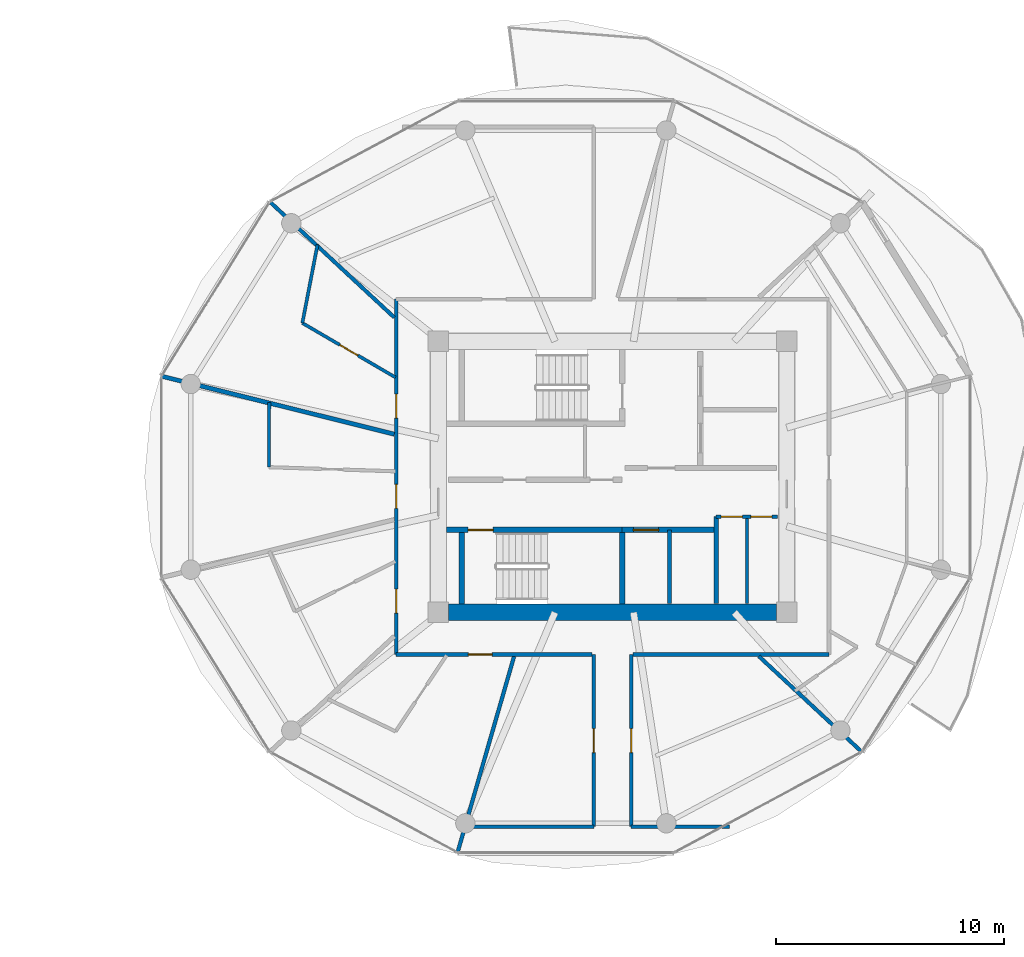
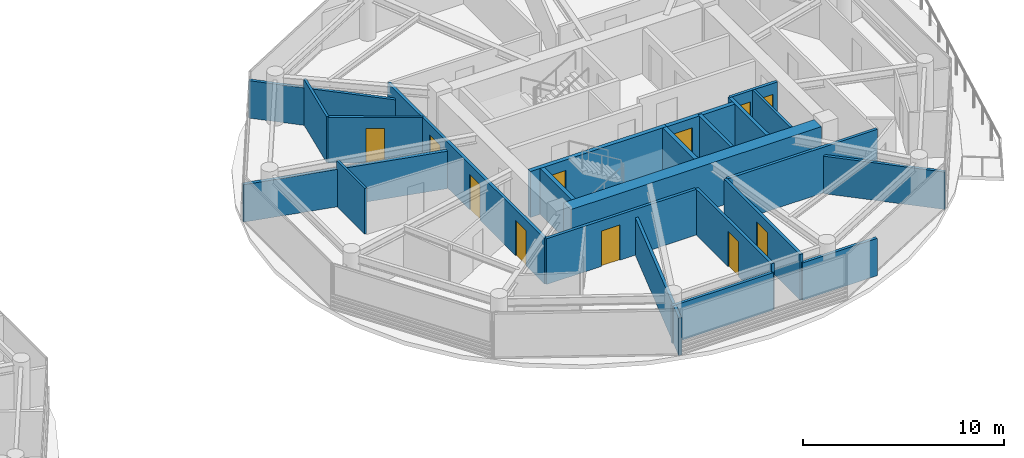
# One storey, part 16 of 24: 23 walls, 11 doors, 11 openings.
"""IFC4 building model written with IfcOpenShell, lengths in metres."""

import ifcopenshell
import ifcopenshell.guid

model = None  # the IFC model being written
_history = None  # IfcOwnerHistory: only IFC2X3 demands one
_inside = {}  # id of a spatial element -> (the spatial element, [elements in it])
_under = {}  # id of a project, library or spatial element -> (it, [spatial elements below it])
_declared = {}  # id of a project -> (the project, [libraries it declares])
_typed = {}  # id of a type object -> (the type object, [elements of that type])
_made_of = {}  # id of a material, layer set ... -> (it, [elements and type objects made of it])


def new_model(schema):
    """Start an empty IFC model of exactly this schema.

    Asked for "IFC4X3", IfcOpenShell would pick the latest addendum, in which some entities
    have other attributes; the version numbers below select the first issue.
    IFC2X3 requires an IfcOwnerHistory on every rooted entity: one is made here for all.
    """
    global model, _history
    if schema == "IFC4X3":
        model = ifcopenshell.file(schema_version=(4, 3, 0, 0))
    else:
        model = ifcopenshell.file(schema=schema)
    _inside.clear()
    _under.clear()
    _declared.clear()
    _typed.clear()
    _made_of.clear()
    _history = None
    if model.schema == "IFC2X3":
        org = make("IfcOrganization", Name="unknown")
        user = make(
            "IfcPersonAndOrganization",
            ThePerson=make("IfcPerson", FamilyName="unknown"),
            TheOrganization=org,
        )
        app = make(
            "IfcApplication",
            ApplicationDeveloper=org,
            Version="unknown",
            ApplicationFullName="unknown",
            ApplicationIdentifier="unknown",
        )
        _history = make(
            "IfcOwnerHistory",
            OwningUser=user,
            OwningApplication=app,
            ChangeAction="ADDED",
            CreationDate=0,
        )
    return model


def make(cls, **values):
    """One entity of the class cls with the attributes given. An attribute that is None is left unset."""
    return model.create_entity(
        cls, **{name: value for name, value in values.items() if value is not None}
    )


def rooted(cls, **values):
    """An entity with a GlobalId (a new one), such as an element, a storey or a relation."""
    return make(cls, GlobalId=ifcopenshell.guid.new(), OwnerHistory=_history, **values)


def si_unit(unit_type, name, prefix=None):
    """IfcSIUnit, for example si_unit("LENGTHUNIT", "METRE", prefix="MILLI")."""
    return make("IfcSIUnit", UnitType=unit_type, Prefix=prefix, Name=name)


def assignment(units):
    """IfcUnitAssignment: the units of a project."""
    return None if units is None else make("IfcUnitAssignment", Units=units)


def point(xyz):
    """IfcCartesianPoint."""
    return None if xyz is None else make("IfcCartesianPoint", Coordinates=xyz)


def direction(xyz):
    """IfcDirection."""
    return None if xyz is None else make("IfcDirection", DirectionRatios=xyz)


def frame(location, z_axis=None, x_axis=None):
    """IfcAxis2Placement3D, a coordinate frame: its origin and axes. An axis left out is left unset."""
    return make(
        "IfcAxis2Placement3D",
        Location=point(location),
        Axis=direction(z_axis),
        RefDirection=direction(x_axis),
    )


def frame_2d(location, x_axis=None):
    """IfcAxis2Placement2D, a coordinate frame in the plane: its origin and x axis."""
    return make(
        "IfcAxis2Placement2D", Location=point(location), RefDirection=direction(x_axis)
    )


def origin():
    """The frame at (0, 0, 0) with its axes left unset."""
    return frame((0.0, 0.0, 0.0))


def place(relative_to, where):
    """IfcLocalPlacement: puts the frame where relative to a parent placement (None: the world)."""
    return make(
        "IfcLocalPlacement", PlacementRelTo=relative_to, RelativePlacement=where
    )


def context(
    kind, dimensions, precision=None, world=None, true_north=None, identifier=None
):
    """IfcGeometricRepresentationContext, for example the 3D "Model" context."""
    return make(
        "IfcGeometricRepresentationContext",
        ContextIdentifier=identifier,
        ContextType=kind,
        CoordinateSpaceDimension=dimensions,
        Precision=precision,
        WorldCoordinateSystem=world,
        TrueNorth=true_north,
    )


def subcontext(parent, identifier, kind, view, scale=None):
    """IfcGeometricRepresentationSubContext, for example "Body" below "Model"."""
    return make(
        "IfcGeometricRepresentationSubContext",
        ContextIdentifier=identifier,
        ContextType=kind,
        ParentContext=parent,
        TargetScale=scale,
        TargetView=view,
    )


def project(units=None, contexts=None):
    """IfcProject with its units and contexts."""
    return rooted(
        "IfcProject",
        Name="project",
        RepresentationContexts=contexts,
        UnitsInContext=assignment(units),
    )


def spatial(cls, under=None, at=None, **own):
    """A site, building, storey or space (cls), placed at a placement, below another one or the project."""
    s = rooted(cls, ObjectPlacement=at, **own)
    if under is not None:
        _under.setdefault(under.id(), (under, []))[1].append(s)
    return s


def profile(cls, at=None, kind="AREA", **sizes):
    """A parametric profile (cls). Its sizes go by their IFC names, for example OverallWidth=200.0."""
    return make(cls, ProfileType=kind, Position=at, **sizes)


def rectangle(**sizes):
    """IfcRectangleProfileDef."""
    return profile("IfcRectangleProfileDef", **sizes)


def extrude(swept, where, along, depth):
    """IfcExtrudedAreaSolid: the profile swept, set in the frame where, extruded along a direction by depth."""
    return make(
        "IfcExtrudedAreaSolid",
        SweptArea=swept,
        Position=where,
        ExtrudedDirection=direction(along),
        Depth=depth,
    )


def shape(context_of_items, identifier, shape_type, items):
    """IfcShapeRepresentation: the items that make up one representation, for example the "Body"."""
    return make(
        "IfcShapeRepresentation",
        ContextOfItems=context_of_items,
        RepresentationIdentifier=identifier,
        RepresentationType=shape_type,
        Items=items,
    )


def source(mapping_origin, context_of_items, identifier, shape_type, items):
    """IfcRepresentationMap: a shape defined once, which mapped items show again and again."""
    return make(
        "IfcRepresentationMap",
        MappingOrigin=mapping_origin,
        MappedRepresentation=shape(context_of_items, identifier, shape_type, items),
    )


def transform(
    local_origin,
    x_axis=None,
    y_axis=None,
    z_axis=None,
    scale=None,
    scale2=None,
    scale3=None,
    uniform=True,
):
    """IfcCartesianTransformationOperator3D, or its non-uniform kind. x_axis, y_axis, z_axis: its Axis1, 2, 3."""
    if uniform:
        return make(
            "IfcCartesianTransformationOperator3D",
            Axis1=direction(x_axis),
            Axis2=direction(y_axis),
            LocalOrigin=point(local_origin),
            Scale=scale,
            Axis3=direction(z_axis),
        )
    return make(
        "IfcCartesianTransformationOperator3DnonUniform",
        Axis1=direction(x_axis),
        Axis2=direction(y_axis),
        LocalOrigin=point(local_origin),
        Scale=scale,
        Axis3=direction(z_axis),
        Scale2=scale2,
        Scale3=scale3,
    )


def mapped(mapping_source, mapping_target):
    """IfcMappedItem: shows the shape of a source again, moved by a transform."""
    return make(
        "IfcMappedItem", MappingSource=mapping_source, MappingTarget=mapping_target
    )


def material(Name=None, Category=None):
    """IfcMaterial."""
    return make("IfcMaterial", Name=Name, Category=Category)


def layer(
    of_material, thickness, ventilated=None, Name=None, Category=None, Priority=None
):
    """IfcMaterialLayer: one layer of a wall or slab, of a material (None: an air gap)."""
    return make(
        "IfcMaterialLayer",
        Material=of_material,
        LayerThickness=thickness,
        IsVentilated=ventilated,
        Name=Name,
        Category=Category,
        Priority=Priority,
    )


def layer_set(layers, Name=None):
    """IfcMaterialLayerSet."""
    return make("IfcMaterialLayerSet", MaterialLayers=layers, LayerSetName=Name)


def made_of(thing, what):
    """Note that an element or type object is made of a material, layer set ...; save() writes the relation."""
    if what is not None:
        _made_of.setdefault(what.id(), (what, []))[1].append(thing)
    return thing


def type_object(cls, material=None, **own):
    """A type object (cls), such as IfcWallType, which elements share."""
    return made_of(rooted(cls, **own), material)


def type_shapes(of_type, sources):
    """Give a type object the sources (RepresentationMaps) that its elements show as mapped items."""
    of_type.RepresentationMaps = sources


def element(
    cls,
    number,
    at=None,
    inside=None,
    cuts=None,
    type_object=None,
    material=None,
    context=None,
    identifier="Body",
    shape_type=None,
    held_by="IfcProductDefinitionShape",
    body=None,
    shapes=None,
    **own,
):
    """One element of the class cls, such as IfcWall. Its Tag is "e" and its number.

    at: its placement. inside: the storey or other place that contains it. cuts: it is an
    opening in that element (IfcRelVoidsElement). A single representation is given by context,
    identifier, shape_type and body (its items); several are given by shapes. held_by: the class
    of the entity that holds the representations. save() writes the other relations.
    """
    e = rooted(cls, Tag="e%d" % number, ObjectPlacement=at, **own)
    if body is not None:
        shapes = [shape(context, identifier, shape_type, body)]
    if shapes is not None:
        e.Representation = make(held_by, Representations=shapes)
    if inside is not None:
        _inside.setdefault(inside.id(), (inside, []))[1].append(e)
    if cuts is not None:
        rooted(
            "IfcRelVoidsElement", RelatingBuildingElement=cuts, RelatedOpeningElement=e
        )
    if type_object is not None:
        _typed.setdefault(type_object.id(), (type_object, []))[1].append(e)
    return made_of(e, material)


def fill(opening, filler):
    """IfcRelFillsElement: the door or window that sits in an opening."""
    return rooted(
        "IfcRelFillsElement",
        RelatingOpeningElement=opening,
        RelatedBuildingElement=filler,
    )


def aggregate(whole, parts):
    """IfcRelAggregates: a whole, such as a stair, and the parts it consists of."""
    return rooted("IfcRelAggregates", RelatingObject=whole, RelatedObjects=parts)


def save(model, path):
    """Write the relations noted so far, then the file.

    IfcRelAggregates (storeys below a building ...), IfcRelContainedInSpatialStructure (elements
    in a storey), IfcRelDefinesByType, IfcRelAssociatesMaterial and IfcRelDeclares: one each for
    every whole, place, type object, material and project.
    """
    for whole, parts in _under.values():
        aggregate(whole, parts)
    for where, things in _inside.values():
        rooted(
            "IfcRelContainedInSpatialStructure",
            RelatedElements=things,
            RelatingStructure=where,
        )
    for kind, things in _typed.values():
        rooted("IfcRelDefinesByType", RelatedObjects=things, RelatingType=kind)
    for what, things in _made_of.values():
        rooted("IfcRelAssociatesMaterial", RelatedObjects=things, RelatingMaterial=what)
    for by, libraries in _declared.values():
        rooted("IfcRelDeclares", RelatingContext=by, RelatedDefinitions=libraries)
    model.write(path)


model = new_model("IFC4")

# Units and contexts
model_context = context("Model", 3, precision=1e-05, world=origin(), true_north=direction((0.0, 1.0)))
body_context = subcontext(model_context, "Body", "Model", "MODEL_VIEW")
ifc_project = project(units=[si_unit("LENGTHUNIT", "METRE"), si_unit("AREAUNIT", "SQUARE_METRE"), si_unit("VOLUMEUNIT", "CUBIC_METRE"), si_unit("PLANEANGLEUNIT", "RADIAN"), si_unit("MASSUNIT", "GRAM", prefix="KILO")], contexts=[model_context])

# Site, building, storey
site_placement = place(None, origin())
site = spatial("IfcSite", under=ifc_project, at=site_placement, CompositionType="ELEMENT")
building_placement = place(site_placement, origin())
building = spatial("IfcBuilding", under=site, at=building_placement, Name="Norrkilde Senior Care Towers", CompositionType="ELEMENT")
storey_placement = place(building_placement, frame((0.0, 0.0, 105.39990234375)))
storey = spatial("IfcBuildingStorey", under=building, at=storey_placement, Name="L32", CompositionType="ELEMENT", Elevation=105.39990234375)

# Walls
ifc_material_1 = material(Name="Concrete C60/75", Category="concrete")
ifc_layer_1 = layer(ifc_material_1, 0.719970703125)
ifc_layer_set_1 = layer_set([ifc_layer_1], Name="Concrete C60/75")
wall_type_1 = type_object("IfcWallType", Name="Core Shear Wall Z2 720", PredefinedType="SHEAR", material=ifc_layer_set_1)
shared_shape_1 = source(origin(), body_context, "Body", "SweptSolid", [
    extrude(rectangle(XDim=14.39990234375, YDim=0.719970703125, at=frame_2d((7.199951171875, 0.0))), origin(), (0.0, 0.0, 1.0), 2.7900390625),
])
type_shapes(wall_type_1, [shared_shape_1])
wall_1_placement = place(storey_placement, frame((35.199951171875, -5.949951171875, 0.0), z_axis=(0.0, 0.0, 1.0), x_axis=(-1.0, 0.0, 0.0)))
element("IfcWall", 1, at=wall_1_placement, inside=storey, type_object=wall_type_1, Name="L32 Core E South Shear Wall", PredefinedType="SHEAR", context=body_context, shape_type="MappedRepresentation", body=[
    mapped(shared_shape_1, transform((0.0, 0.0, 0.0), x_axis=(1.0, 0.0, 0.0), y_axis=(0.0, 1.0, 0.0), z_axis=(0.0, 0.0, 1.0), scale=1.0)),
])
ifc_material_2 = material(Name="Concrete C45/55", Category="concrete")
ifc_layer_2 = layer(ifc_material_2, 0.199951171875)
ifc_layer_set_2 = layer_set([ifc_layer_2], Name="Concrete C45/55")
wall_type_2 = type_object("IfcWallType", Name="Shaft Division and Plant Partition 200", PredefinedType="PARTITIONING", material=ifc_layer_set_2)
shared_shape_2 = source(origin(), body_context, "Body", "SweptSolid", [
    extrude(rectangle(XDim=3.800048828125, YDim=0.199951171875, at=frame_2d((1.89990234375, 0.0))), origin(), (0.0, 0.0, 1.0), 2.775146484375),
])
type_shapes(wall_type_2, [shared_shape_2])
wall_2_placement = place(storey_placement, frame((32.550048828125, -5.550048828125, 0.0), z_axis=(0.0, 0.0, 1.0), x_axis=(0.0, 1.0, 0.0)))
element("IfcWall", 2, at=wall_2_placement, inside=storey, type_object=wall_type_2, Name="WL-INT-L32-E-PKBE", PredefinedType="PARTITIONING", context=body_context, shape_type="MappedRepresentation", body=[
    mapped(shared_shape_2, transform((0.0, 0.0, 0.0), x_axis=(1.0, 0.0, 0.0), y_axis=(0.0, 1.0, 0.0), z_axis=(0.0, 0.0, 1.0), scale=1.0)),
])

# Wall, opening, door
ifc_layer_3 = layer(ifc_material_2, 0.239990234375)
ifc_layer_set_3 = layer_set([ifc_layer_3], Name="Concrete C45/55")
wall_type_3 = type_object("IfcWallType", Name="Lift and Plant Rated Enclosure Partition 240", PredefinedType="PARTITIONING", material=ifc_layer_set_3)
shared_shape_3 = source(origin(), body_context, "Body", "SweptSolid", [
    extrude(rectangle(XDim=4.130126953125, YDim=0.239990234375, at=frame_2d((2.06494140625, 0.0))), origin(), (0.0, 0.0, 1.0), 2.775146484375),
])
type_shapes(wall_type_3, [shared_shape_3])
wall_3_placement = place(storey_placement, frame((28.419921875, -2.330078125, 0.0), z_axis=(0.0, 0.0, 1.0), x_axis=(1.0, 0.0, 0.0)))
wall_3 = element("IfcWall", 3, at=wall_3_placement, inside=storey, type_object=wall_type_3, Name="WL-INT-L32-E-PKBN", PredefinedType="PARTITIONING", context=body_context, shape_type="MappedRepresentation", body=[
    mapped(shared_shape_3, transform((0.0, 0.0, 0.0), x_axis=(1.0, 0.0, 0.0), y_axis=(0.0, 1.0, 0.0), z_axis=(0.0, 0.0, 1.0), scale=1.0)),
])
opening_1_placement = place(wall_3_placement, frame((0.5, 0.0, 0.0)))
opening_1 = element("IfcOpeningElement", 4, at=opening_1_placement, cuts=wall_3, Name="Opening LD-01", PredefinedType="OPENING", context=body_context, shape_type="SweptSolid", body=[
    extrude(rectangle(XDim=1.10009765625, YDim=2.199951171875, at=frame_2d((0.550048828125, 1.10009765625))), frame((0.0, 0.1298828125, 0.0), z_axis=(0.0, -1.0, 0.0), x_axis=(1.0, 0.0, 0.0)), (0.0, 0.0, 1.0), 0.260009765625),
])
ifc_material_3 = material(Name="Stainless Steel", Category="steel")
door_type_1 = type_object("IfcDoorType", Name="Lift Landing Sliding Door 1100x2200", OperationType="NOTDEFINED", PredefinedType="DOOR", material=ifc_material_3)
shared_shape_4 = source(origin(), body_context, "Body", "SweptSolid", [
    extrude(rectangle(XDim=1.10009765625, YDim=2.199951171875, at=frame_2d((0.550048828125, 1.10009765625))), frame((0.0, 0.02490234375, 0.0), z_axis=(0.0, -1.0, 0.0), x_axis=(1.0, 0.0, 0.0)), (0.0, 0.0, 1.0), 0.050048828125),
])
type_shapes(door_type_1, [shared_shape_4])
door_1_placement = place(opening_1_placement, frame((1.10009765625, 0.0, 0.0), z_axis=(0.0, 0.0, 1.0), x_axis=(-1.0, 0.0, 0.0)))
door_1 = element("IfcDoor", 5, at=door_1_placement, inside=storey, type_object=door_type_1, Name="L32 Passenger Lift E3 Landing Door", OperationType="SLIDING_TO_LEFT", OverallHeight=2.199951171875, OverallWidth=1.10009765625, PredefinedType="DOOR", context=body_context, shape_type="MappedRepresentation", body=[
    mapped(shared_shape_4, transform((0.0, 0.0, 0.0), x_axis=(1.0, 0.0, 0.0), y_axis=(0.0, 1.0, 0.0), z_axis=(0.0, 0.0, 1.0), scale=1.0)),
])
fill(opening_1, door_1)

# Wall
ifc_layer_4 = layer(ifc_material_2, 0.179931640625)
ifc_layer_set_4 = layer_set([ifc_layer_4], Name="Concrete C45/55")
wall_type_4 = type_object("IfcWallType", Name="Hoistway Division Rated Partition 180", PredefinedType="PARTITIONING", material=ifc_layer_set_4)
shared_shape_5 = source(origin(), body_context, "Body", "SweptSolid", [
    extrude(rectangle(XDim=3.219970703125, YDim=0.179931640625, at=frame_2d((1.60986328125, 0.0))), origin(), (0.0, 0.0, 1.0), 2.775146484375),
])
type_shapes(wall_type_4, [shared_shape_5])
wall_4_placement = place(storey_placement, frame((30.5, -5.550048828125, 0.0), z_axis=(0.0, 0.0, 1.0), x_axis=(0.0, 1.0, 0.0)))
element("IfcWall", 6, at=wall_4_placement, inside=storey, type_object=wall_type_4, Name="WL-INT-L32-E-PL34", PredefinedType="PARTITIONING", context=body_context, shape_type="MappedRepresentation", body=[
    mapped(shared_shape_5, transform((0.0, 0.0, 0.0), x_axis=(1.0, 0.0, 0.0), y_axis=(0.0, 1.0, 0.0), z_axis=(0.0, 0.0, 1.0), scale=1.0)),
])

# Wall, openings, doors
ifc_material_4 = material(Name="Gypsum Acoustic Board")
ifc_layer_5 = layer(ifc_material_4, 0.1650390625)
ifc_layer_set_5 = layer_set([ifc_layer_5], Name="Gypsum Acoustic Board")
wall_type_5 = type_object("IfcWallType", Name="Corridor Rated Partition 165", PredefinedType="PARTITIONING", material=ifc_layer_set_5)
shared_shape_6 = source(origin(), body_context, "Body", "SweptSolid", [
    extrude(rectangle(XDim=2.699951171875, YDim=0.1650390625, at=frame_2d((1.35009765625, 0.0))), origin(), (0.0, 0.0, 1.0), 2.775146484375),
])
wall_5_placement = place(storey_placement, frame((32.550048828125, -1.75, 0.0), z_axis=(0.0, 0.0, 1.0), x_axis=(1.0, 0.0, 0.0)))
wall_5 = element("IfcWall", 7, at=wall_5_placement, inside=storey, type_object=wall_type_5, Name="WL-INT-L32-E-CSN", PredefinedType="PARTITIONING", context=body_context, shape_type="MappedRepresentation", body=[
    mapped(shared_shape_6, transform((0.0, 0.0, 0.0), x_axis=(1.0, 0.0, 0.0), y_axis=(0.0, 1.0, 0.0), z_axis=(0.0, 0.0, 1.0), scale=1.0)),
])
opening_2_placement = place(wall_5_placement, frame((0.222412109375, 0.0, 0.0)))
opening_2 = element("IfcOpeningElement", 8, at=opening_2_placement, cuts=wall_5, Name="Opening D-12", PredefinedType="OPENING", context=body_context, shape_type="SweptSolid", body=[
    extrude(rectangle(XDim=0.925048828125, YDim=2.10009765625, at=frame_2d((0.46240234375, 1.050048828125))), frame((0.0, 0.092529296875, 0.0), z_axis=(0.0, -1.0, 0.0), x_axis=(1.0, 0.0, 0.0)), (0.0, 0.0, 1.0), 0.18505859375),
])
opening_3_placement = place(wall_5_placement, frame((1.5224609375, 0.0, 0.0)))
opening_3 = element("IfcOpeningElement", 9, at=opening_3_placement, cuts=wall_5, Name="Opening D-12", PredefinedType="OPENING", context=body_context, shape_type="SweptSolid", body=[
    extrude(rectangle(XDim=0.925048828125, YDim=2.10009765625, at=frame_2d((0.46240234375, 1.050048828125))), frame((0.0, 0.092529296875, 0.0), z_axis=(0.0, -1.0, 0.0), x_axis=(1.0, 0.0, 0.0)), (0.0, 0.0, 1.0), 0.18505859375),
])
ifc_material_5 = material(Name="Galvanised Painted Steel", Category="steel")
door_type_2 = type_object("IfcDoorType", Name="Core Wet Room Rated Door 925x2100", OperationType="NOTDEFINED", PredefinedType="DOOR", material=ifc_material_5)
shared_shape_7 = source(origin(), body_context, "Body", "SweptSolid", [
    extrude(rectangle(XDim=0.925048828125, YDim=2.10009765625, at=frame_2d((0.46240234375, 1.050048828125))), frame((0.0, 0.02490234375, 0.0), z_axis=(0.0, -1.0, 0.0), x_axis=(1.0, 0.0, 0.0)), (0.0, 0.0, 1.0), 0.050048828125),
])
type_shapes(door_type_2, [shared_shape_7])
door_2_placement = place(opening_2_placement, origin())
door_2 = element("IfcDoor", 10, at=door_2_placement, inside=storey, type_object=door_type_2, Name="L32 Staff Accessible WC E Door", OperationType="SINGLE_SWING_LEFT", OverallHeight=2.10009765625, OverallWidth=0.925048828125, PredefinedType="DOOR", context=body_context, shape_type="MappedRepresentation", body=[
    mapped(shared_shape_7, transform((0.0, 0.0, 0.0), x_axis=(1.0, 0.0, 0.0), y_axis=(0.0, 1.0, 0.0), z_axis=(0.0, 0.0, 1.0), scale=1.0)),
])
fill(opening_2, door_2)
door_3_placement = place(opening_3_placement, origin())
door_3 = element("IfcDoor", 11, at=door_3_placement, inside=storey, type_object=door_type_2, Name="L32 Housekeeping Store E Door", OperationType="SINGLE_SWING_RIGHT", OverallHeight=2.10009765625, OverallWidth=0.925048828125, PredefinedType="DOOR", context=body_context, shape_type="MappedRepresentation", body=[
    mapped(shared_shape_7, transform((0.0, 0.0, 0.0), x_axis=(1.0, 0.0, 0.0), y_axis=(0.0, 1.0, 0.0), z_axis=(0.0, 0.0, 1.0), scale=1.0)),
])
fill(opening_3, door_3)

shared_shape_8 = source(origin(), body_context, "Body", "SweptSolid", [
    extrude(rectangle(XDim=15.60009765625, YDim=0.1650390625, at=frame_2d((7.800048828125, 0.0))), origin(), (0.0, 0.0, 1.0), 2.775146484375),
])
wall_6_placement = place(storey_placement, frame((18.5, -7.800048828125, 0.0), z_axis=(0.0, 0.0, 1.0), x_axis=(0.0, 1.0, 0.0)))
wall_6 = element("IfcWall", 12, at=wall_6_placement, inside=storey, type_object=wall_type_5, Name="WL-INT-L32-E-CRW-W-0", PredefinedType="PARTITIONING", context=body_context, shape_type="MappedRepresentation", body=[
    mapped(shared_shape_8, transform((0.0, 0.0, 0.0), x_axis=(1.0, 0.0, 0.0), y_axis=(0.0, 1.0, 0.0), z_axis=(0.0, 0.0, 1.0), scale=1.0)),
])
opening_4_placement = place(wall_6_placement, frame((10.3828125, 0.0, 0.0)))
opening_4 = element("IfcOpeningElement", 13, at=opening_4_placement, cuts=wall_6, Name="Opening D-06", PredefinedType="OPENING", context=body_context, shape_type="SweptSolid", body=[
    extrude(rectangle(XDim=1.050048828125, YDim=2.14990234375, at=frame_2d((0.52490234375, 1.074951171875))), frame((0.0, 0.092529296875, 0.0), z_axis=(0.0, -1.0, 0.0), x_axis=(1.0, 0.0, 0.0)), (0.0, 0.0, 1.0), 0.18505859375),
])
opening_5_placement = place(wall_6_placement, frame((6.418701171875, 0.0, 0.0)))
opening_5 = element("IfcOpeningElement", 14, at=opening_5_placement, cuts=wall_6, Name="Opening D-06", PredefinedType="OPENING", context=body_context, shape_type="SweptSolid", body=[
    extrude(rectangle(XDim=1.050048828125, YDim=2.14990234375, at=frame_2d((0.52490234375, 1.074951171875))), frame((0.0, 0.092529296875, 0.0), z_axis=(0.0, -1.0, 0.0), x_axis=(1.0, 0.0, 0.0)), (0.0, 0.0, 1.0), 0.18505859375),
])
opening_6_placement = place(wall_6_placement, frame((1.820556640625, 0.0, 0.0)))
opening_6 = element("IfcOpeningElement", 15, at=opening_6_placement, cuts=wall_6, Name="Opening D-06", PredefinedType="OPENING", context=body_context, shape_type="SweptSolid", body=[
    extrude(rectangle(XDim=1.050048828125, YDim=2.14990234375, at=frame_2d((0.52490234375, 1.074951171875))), frame((0.0, 0.092529296875, 0.0), z_axis=(0.0, -1.0, 0.0), x_axis=(1.0, 0.0, 0.0)), (0.0, 0.0, 1.0), 0.18505859375),
])
ifc_material_6 = material(Name="Nordic Ash Timber", Category="wood")
door_type_3 = type_object("IfcDoorType", Name="Apartment Entrance Fire Door 1050x2150", OperationType="NOTDEFINED", PredefinedType="DOOR", material=ifc_material_6)
shared_shape_9 = source(origin(), body_context, "Body", "SweptSolid", [
    extrude(rectangle(XDim=1.050048828125, YDim=2.14990234375, at=frame_2d((0.52490234375, 1.074951171875))), frame((0.0, 0.02490234375, 0.0), z_axis=(0.0, -1.0, 0.0), x_axis=(1.0, 0.0, 0.0)), (0.0, 0.0, 1.0), 0.050048828125),
])
type_shapes(door_type_3, [shared_shape_9])
door_4_placement = place(opening_4_placement, frame((1.050048828125, 0.0, 0.0), z_axis=(0.0, 0.0, 1.0), x_axis=(-1.0, 0.0, 0.0)))
door_4 = element("IfcDoor", 16, at=door_4_placement, inside=storey, type_object=door_type_3, Name="L32 Studio 32A Entrance Door", OperationType="SINGLE_SWING_LEFT", OverallHeight=2.14990234375, OverallWidth=1.050048828125, PredefinedType="DOOR", context=body_context, shape_type="MappedRepresentation", body=[
    mapped(shared_shape_9, transform((0.0, 0.0, 0.0), x_axis=(1.0, 0.0, 0.0), y_axis=(0.0, 1.0, 0.0), z_axis=(0.0, 0.0, 1.0), scale=1.0)),
])
fill(opening_4, door_4)
door_5_placement = place(opening_5_placement, frame((1.050048828125, 0.0, 0.0), z_axis=(0.0, 0.0, 1.0), x_axis=(-1.0, 0.0, 0.0)))
door_5 = element("IfcDoor", 17, at=door_5_placement, inside=storey, type_object=door_type_3, Name="L32 Studio 32B Entrance Door", OperationType="SINGLE_SWING_RIGHT", OverallHeight=2.14990234375, OverallWidth=1.050048828125, PredefinedType="DOOR", context=body_context, shape_type="MappedRepresentation", body=[
    mapped(shared_shape_9, transform((0.0, 0.0, 0.0), x_axis=(1.0, 0.0, 0.0), y_axis=(0.0, 1.0, 0.0), z_axis=(0.0, 0.0, 1.0), scale=1.0)),
])
fill(opening_5, door_5)
door_6_placement = place(opening_6_placement, frame((1.050048828125, 0.0, 0.0), z_axis=(0.0, 0.0, 1.0), x_axis=(-1.0, 0.0, 0.0)))
door_6 = element("IfcDoor", 18, at=door_6_placement, inside=storey, type_object=door_type_3, Name="L32 Studio 32C Entrance Door", OperationType="SINGLE_SWING_LEFT", OverallHeight=2.14990234375, OverallWidth=1.050048828125, PredefinedType="DOOR", context=body_context, shape_type="MappedRepresentation", body=[
    mapped(shared_shape_9, transform((0.0, 0.0, 0.0), x_axis=(1.0, 0.0, 0.0), y_axis=(0.0, 1.0, 0.0), z_axis=(0.0, 0.0, 1.0), scale=1.0)),
])
fill(opening_6, door_6)

# Wall, opening, door
ifc_layer_6 = layer(ifc_material_2, 0.239990234375)
ifc_layer_set_6 = layer_set([ifc_layer_6], Name="Concrete C45/55")
wall_type_6 = type_object("IfcWallType", Name="Shaft and Stair Enclosure Wall 240", PredefinedType="PARTITIONING", material=ifc_layer_set_6)
shared_shape_10 = source(origin(), body_context, "Body", "SweptSolid", [
    extrude(rectangle(XDim=7.830078125, YDim=0.239990234375, at=frame_2d((3.9150390625, 0.0))), origin(), (0.0, 0.0, 1.0), 2.7900390625),
])
wall_7_placement = place(storey_placement, frame((20.7099609375, -2.330078125, 0.0), z_axis=(0.0, 0.0, 1.0), x_axis=(1.0, 0.0, 0.0)))
wall_7 = element("IfcWall", 19, at=wall_7_placement, inside=storey, type_object=wall_type_6, Name="WL-INT-L32-E-ST2N", PredefinedType="PARTITIONING", context=body_context, shape_type="MappedRepresentation", body=[
    mapped(shared_shape_10, transform((0.0, 0.0, 0.0), x_axis=(1.0, 0.0, 0.0), y_axis=(0.0, 1.0, 0.0), z_axis=(0.0, 0.0, 1.0), scale=1.0)),
])
opening_7_placement = place(wall_7_placement, frame((0.949951171875, 0.0, 0.0)))
opening_7 = element("IfcOpeningElement", 20, at=opening_7_placement, cuts=wall_7, Name="Opening D-03", PredefinedType="OPENING", context=body_context, shape_type="SweptSolid", body=[
    extrude(rectangle(XDim=1.10009765625, YDim=2.14990234375, at=frame_2d((0.550048828125, 1.074951171875))), frame((0.0, 0.1298828125, 0.0), z_axis=(0.0, -1.0, 0.0), x_axis=(1.0, 0.0, 0.0)), (0.0, 0.0, 1.0), 0.260009765625),
])
door_type_4 = type_object("IfcDoorType", Name="Stairwell Protected Fire Door 1100x2150", OperationType="NOTDEFINED", PredefinedType="DOOR", material=ifc_material_5)
shared_shape_11 = source(origin(), body_context, "Body", "SweptSolid", [
    extrude(rectangle(XDim=1.10009765625, YDim=2.14990234375, at=frame_2d((0.550048828125, 1.074951171875))), frame((0.0, 0.02490234375, 0.0), z_axis=(0.0, -1.0, 0.0), x_axis=(1.0, 0.0, 0.0)), (0.0, 0.0, 1.0), 0.050048828125),
])
type_shapes(door_type_4, [shared_shape_11])
door_7_placement = place(opening_7_placement, frame((1.10009765625, 0.0, 0.0), z_axis=(0.0, 0.0, 1.0), x_axis=(-1.0, 0.0, 0.0)))
door_7 = element("IfcDoor", 21, at=door_7_placement, inside=storey, type_object=door_type_4, Name="L32 Stair E2 Fire Door", OperationType="SINGLE_SWING_RIGHT", OverallHeight=2.14990234375, OverallWidth=1.10009765625, PredefinedType="DOOR", context=body_context, shape_type="MappedRepresentation", body=[
    mapped(shared_shape_11, transform((0.0, 0.0, 0.0), x_axis=(1.0, 0.0, 0.0), y_axis=(0.0, 1.0, 0.0), z_axis=(0.0, 0.0, 1.0), scale=1.0)),
])
fill(opening_7, door_7)

# Walls
shared_shape_12 = source(origin(), body_context, "Body", "SweptSolid", [
    extrude(rectangle(XDim=3.14013671875, YDim=0.239990234375, at=frame_2d((1.570068359375, 0.0))), origin(), (0.0, 0.0, 1.0), 2.7900390625),
])
type_shapes(wall_type_6, [shared_shape_10, shared_shape_12])
for number, where, z_axis, x_axis, name in (
    (22, (21.3798828125, -5.590087890625, 0.0), (0.0, 0.0, 1.0), (0.0, 1.0, 0.0), "WL-INT-L32-E-ST2W"),
    (23, (28.419921875, -5.590087890625, 0.0), (0.0, 0.0, 1.0), (0.0, 1.0, 0.0), "WL-INT-L32-E-ST2E"),
):
    element("IfcWall", number, at=place(storey_placement, frame(where, z_axis=z_axis, x_axis=x_axis)), inside=storey, type_object=wall_type_6, Name=name, PredefinedType="PARTITIONING", context=body_context, shape_type="MappedRepresentation", body=[
        mapped(shared_shape_12, transform((0.0, 0.0, 0.0), x_axis=(1.0, 0.0, 0.0), y_axis=(0.0, 1.0, 0.0), z_axis=(0.0, 0.0, 1.0), scale=1.0)),
    ])
ifc_layer_7 = layer(ifc_material_4, 0.18994140625)
ifc_layer_set_7 = layer_set([ifc_layer_7], Name="Gypsum Acoustic Board")
wall_type_7 = type_object("IfcWallType", Name="Unit Demising Acoustic Wall 190", PredefinedType="PARTITIONING", material=ifc_layer_set_7)
shared_shape_13 = source(origin(), body_context, "Body", "SweptSolid", [
    extrude(rectangle(XDim=10.5556640625, YDim=0.18994140625, at=frame_2d((5.27783203125, 0.0))), origin(), (0.0, 0.0, 1.0), 2.275146484375),
])
type_shapes(wall_type_7, [shared_shape_13])
wall_8_placement = place(storey_placement, frame((18.419921875, 1.875, 0.0), z_axis=(0.0, 0.0, 1.0), x_axis=(-0.970363857851, 0.241648470667, 0.0)))
element("IfcWall", 24, at=wall_8_placement, inside=storey, type_object=wall_type_7, Name="WL-INT-L32-E-DEM-05-0", PredefinedType="PARTITIONING", context=body_context, shape_type="MappedRepresentation", body=[
    mapped(shared_shape_13, transform((0.0, 0.0, 0.0), x_axis=(1.0, 0.0, 0.0), y_axis=(0.0, 1.0, 0.0), z_axis=(0.0, 0.0, 1.0), scale=1.0)),
])
ifc_layer_8 = layer(ifc_material_4, 0.139892578125)
ifc_layer_set_8 = layer_set([ifc_layer_8], Name="Gypsum Acoustic Board")
wall_type_8 = type_object("IfcWallType", Name="En-suite Wet Room Wall 140", PredefinedType="PARTITIONING", material=ifc_layer_set_8)
shared_shape_14 = source(origin(), body_context, "Body", "SweptSolid", [
    extrude(rectangle(XDim=3.800048828125, YDim=0.139892578125, at=frame_2d((1.89990234375, 0.0))), origin(), (0.0, 0.0, 1.0), 2.775146484375),
])
wall_9_placement = place(storey_placement, frame((33.89990234375, -5.550048828125, 0.0), z_axis=(0.0, 0.0, 1.0), x_axis=(0.0, 1.0, 0.0)))
element("IfcWall", 25, at=wall_9_placement, inside=storey, type_object=wall_type_8, Name="WL-INT-L32-E-CS1V", PredefinedType="PARTITIONING", context=body_context, shape_type="MappedRepresentation", body=[
    mapped(shared_shape_14, transform((0.0, 0.0, 0.0), x_axis=(1.0, 0.0, 0.0), y_axis=(0.0, 1.0, 0.0), z_axis=(0.0, 0.0, 1.0), scale=1.0)),
])
shared_shape_15 = source(origin(), body_context, "Body", "SweptSolid", [
    extrude(rectangle(XDim=8.60009765625, YDim=0.1650390625, at=frame_2d((4.300048828125, 0.0))), origin(), (0.0, 0.0, 1.0), 2.775146484375),
])
wall_10_placement = place(storey_placement, frame((37.5, -7.800048828125, 0.0), z_axis=(0.0, 0.0, 1.0), x_axis=(-1.0, 0.0, 0.0)))
element("IfcWall", 26, at=wall_10_placement, inside=storey, type_object=wall_type_5, Name="WL-INT-L32-E-CRW-S-0", PredefinedType="PARTITIONING", context=body_context, shape_type="MappedRepresentation", body=[
    mapped(shared_shape_15, transform((0.0, 0.0, 0.0), x_axis=(1.0, 0.0, 0.0), y_axis=(0.0, 1.0, 0.0), z_axis=(0.0, 0.0, 1.0), scale=1.0)),
])

# Wall, opening, door
wall_11_placement = place(storey_placement, frame((27.10009765625, -7.800048828125, 0.0), z_axis=(0.0, 0.0, 1.0), x_axis=(-1.0, 0.0, 0.0)))
wall_11 = element("IfcWall", 27, at=wall_11_placement, inside=storey, type_object=wall_type_5, Name="WL-INT-L32-E-CRW-S-1", PredefinedType="PARTITIONING", context=body_context, shape_type="MappedRepresentation", body=[
    mapped(shared_shape_15, transform((0.0, 0.0, 0.0), x_axis=(1.0, 0.0, 0.0), y_axis=(0.0, 1.0, 0.0), z_axis=(0.0, 0.0, 1.0), scale=1.0)),
])
opening_8_placement = place(wall_11_placement, frame((4.384033203125, 0.0, 0.0)))
opening_8 = element("IfcOpeningElement", 28, at=opening_8_placement, cuts=wall_11, Name="Opening D-06", PredefinedType="OPENING", context=body_context, shape_type="SweptSolid", body=[
    extrude(rectangle(XDim=1.050048828125, YDim=2.14990234375, at=frame_2d((0.52490234375, 1.074951171875))), frame((0.0, 0.092529296875, 0.0), z_axis=(0.0, -1.0, 0.0), x_axis=(1.0, 0.0, 0.0)), (0.0, 0.0, 1.0), 0.18505859375),
])
door_8_placement = place(opening_8_placement, frame((1.050048828125, 0.0, 0.0), z_axis=(0.0, 0.0, 1.0), x_axis=(-1.0, 0.0, 0.0)))
door_8 = element("IfcDoor", 29, at=door_8_placement, inside=storey, type_object=door_type_3, Name="L32 Studio 32D Entrance Door", OperationType="SINGLE_SWING_RIGHT", OverallHeight=2.14990234375, OverallWidth=1.050048828125, PredefinedType="DOOR", context=body_context, shape_type="MappedRepresentation", body=[
    mapped(shared_shape_9, transform((0.0, 0.0, 0.0), x_axis=(1.0, 0.0, 0.0), y_axis=(0.0, 1.0, 0.0), z_axis=(0.0, 0.0, 1.0), scale=1.0)),
])
fill(opening_8, door_8)

# Walls
shared_shape_16 = source(origin(), body_context, "Body", "SweptSolid", [
    extrude(rectangle(XDim=8.9892578125, YDim=0.1650390625, at=frame_2d((4.49462890625, 0.0))), origin(), (0.0, 0.0, 1.0), 2.275146484375),
])
wall_12_placement = place(storey_placement, frame((23.677978515625, -7.8798828125, 0.0), z_axis=(0.0, 0.0, 1.0), x_axis=(-0.27702323008, -0.960863221274, 0.0)))
element("IfcWall", 30, at=wall_12_placement, inside=storey, type_object=wall_type_5, Name="WL-INT-L32-E-DEM-08-0", PredefinedType="PARTITIONING", context=body_context, shape_type="MappedRepresentation", body=[
    mapped(shared_shape_16, transform((0.0, 0.0, 0.0), x_axis=(1.0, 0.0, 0.0), y_axis=(0.0, 1.0, 0.0), z_axis=(0.0, 0.0, 1.0), scale=1.0)),
])
shared_shape_17 = source(origin(), body_context, "Body", "SweptSolid", [
    extrude(rectangle(XDim=6.186767578125, YDim=0.1650390625, at=frame_2d((3.09326171875, 0.0))), origin(), (0.0, 0.0, 1.0), 2.275146484375),
])
wall_13_placement = place(storey_placement, frame((34.428955078125, -7.8798828125, 0.0), z_axis=(0.0, 0.0, 1.0), x_axis=(0.732501077882, -0.680765870841, 0.0)))
element("IfcWall", 31, at=wall_13_placement, inside=storey, type_object=wall_type_5, Name="WL-INT-L32-E-DEM-10-0", PredefinedType="PARTITIONING", context=body_context, shape_type="MappedRepresentation", body=[
    mapped(shared_shape_17, transform((0.0, 0.0, 0.0), x_axis=(1.0, 0.0, 0.0), y_axis=(0.0, 1.0, 0.0), z_axis=(0.0, 0.0, 1.0), scale=1.0)),
])
shared_shape_18 = source(origin(), body_context, "Body", "SweptSolid", [
    extrude(rectangle(XDim=7.482177734375, YDim=0.1650390625, at=frame_2d((3.7412109375, 0.0))), origin(), (0.0, 0.0, 1.0), 2.275146484375),
])
wall_14_placement = place(storey_placement, frame((18.419921875, 6.998046875, 0.0), z_axis=(0.0, 0.0, 1.0), x_axis=(-0.732508698043, 0.680757671489, 0.0)))
element("IfcWall", 32, at=wall_14_placement, inside=storey, type_object=wall_type_5, Name="WL-INT-L32-E-DEM-04-0", PredefinedType="PARTITIONING", context=body_context, shape_type="MappedRepresentation", body=[
    mapped(shared_shape_18, transform((0.0, 0.0, 0.0), x_axis=(1.0, 0.0, 0.0), y_axis=(0.0, 1.0, 0.0), z_axis=(0.0, 0.0, 1.0), scale=1.0)),
])

# Wall, opening, door
shared_shape_19 = source(origin(), body_context, "Body", "SweptSolid", [
    extrude(rectangle(XDim=7.56005859375, YDim=0.1650390625, at=frame_2d((3.780029296875, 0.0))), origin(), (0.0, 0.0, 1.0), 2.775146484375),
])
wall_15_placement = place(storey_placement, frame((27.179931640625, -15.360107421875, 0.0), z_axis=(0.0, 0.0, 1.0), x_axis=(0.0, 1.0, 0.0)))
wall_15 = element("IfcWall", 33, at=wall_15_placement, inside=storey, type_object=wall_type_5, Name="WL-INT-L32-E-PKW-SWL", PredefinedType="PARTITIONING", context=body_context, shape_type="MappedRepresentation", body=[
    mapped(shared_shape_19, transform((0.0, 0.0, 0.0), x_axis=(1.0, 0.0, 0.0), y_axis=(0.0, 1.0, 0.0), z_axis=(0.0, 0.0, 1.0), scale=1.0)),
])
opening_9_placement = place(wall_15_placement, frame((3.2548828125, 0.0, 0.0)))
opening_9 = element("IfcOpeningElement", 34, at=opening_9_placement, cuts=wall_15, Name="Opening D-06", PredefinedType="OPENING", context=body_context, shape_type="SweptSolid", body=[
    extrude(rectangle(XDim=1.050048828125, YDim=2.14990234375, at=frame_2d((0.52490234375, 1.074951171875))), frame((0.0, 0.092529296875, 0.0), z_axis=(0.0, -1.0, 0.0), x_axis=(1.0, 0.0, 0.0)), (0.0, 0.0, 1.0), 0.18505859375),
])
door_9_placement = place(opening_9_placement, frame((1.050048828125, 0.0, 0.0), z_axis=(0.0, 0.0, 1.0), x_axis=(-1.0, 0.0, 0.0)))
door_9 = element("IfcDoor", 35, at=door_9_placement, inside=storey, type_object=door_type_3, Name="L32 Reading Lounge SWL Door", OperationType="SINGLE_SWING_RIGHT", OverallHeight=2.14990234375, OverallWidth=1.050048828125, PredefinedType="DOOR", context=body_context, shape_type="MappedRepresentation", body=[
    mapped(shared_shape_9, transform((0.0, 0.0, 0.0), x_axis=(1.0, 0.0, 0.0), y_axis=(0.0, 1.0, 0.0), z_axis=(0.0, 0.0, 1.0), scale=1.0)),
])
fill(opening_9, door_9)

wall_16_placement = place(storey_placement, frame((28.820068359375, -15.360107421875, 0.0), z_axis=(0.0, 0.0, 1.0), x_axis=(0.0, 1.0, 0.0)))
wall_16 = element("IfcWall", 36, at=wall_16_placement, inside=storey, type_object=wall_type_5, Name="WL-INT-L32-E-PKW-SEL", PredefinedType="PARTITIONING", context=body_context, shape_type="MappedRepresentation", body=[
    mapped(shared_shape_19, transform((0.0, 0.0, 0.0), x_axis=(1.0, 0.0, 0.0), y_axis=(0.0, 1.0, 0.0), z_axis=(0.0, 0.0, 1.0), scale=1.0)),
])
opening_10_placement = place(wall_16_placement, frame((3.2548828125, 0.0, 0.0)))
opening_10 = element("IfcOpeningElement", 37, at=opening_10_placement, cuts=wall_16, Name="Opening D-06", PredefinedType="OPENING", context=body_context, shape_type="SweptSolid", body=[
    extrude(rectangle(XDim=1.050048828125, YDim=2.14990234375, at=frame_2d((0.52490234375, 1.074951171875))), frame((0.0, 0.092529296875, 0.0), z_axis=(0.0, -1.0, 0.0), x_axis=(1.0, 0.0, 0.0)), (0.0, 0.0, 1.0), 0.18505859375),
])
door_10_placement = place(opening_10_placement, frame((1.050048828125, 0.0, 0.0), z_axis=(0.0, 0.0, 1.0), x_axis=(-1.0, 0.0, 0.0)))
door_10 = element("IfcDoor", 38, at=door_10_placement, inside=storey, type_object=door_type_3, Name="L32 Reading Lounge SEL Door", OperationType="SINGLE_SWING_RIGHT", OverallHeight=2.14990234375, OverallWidth=1.050048828125, PredefinedType="DOOR", context=body_context, shape_type="MappedRepresentation", body=[
    mapped(shared_shape_9, transform((0.0, 0.0, 0.0), x_axis=(1.0, 0.0, 0.0), y_axis=(0.0, 1.0, 0.0), z_axis=(0.0, 0.0, 1.0), scale=1.0)),
])
fill(opening_10, door_10)

# Walls
shared_shape_20 = source(origin(), body_context, "Body", "SweptSolid", [
    extrude(rectangle(XDim=4.306884765625, YDim=0.1650390625, at=frame_2d((2.1533203125, 0.0))), origin(), (0.0, 0.0, 1.0), 2.275146484375),
])
wall_17_placement = place(storey_placement, frame((28.820068359375, -15.360107421875, 0.0), z_axis=(0.0, 0.0, 1.0), x_axis=(1.0, 0.0, 0.0)))
element("IfcWall", 39, at=wall_17_placement, inside=storey, type_object=wall_type_5, Name="WL-INT-L32-E-PKH-SEL-0", PredefinedType="PARTITIONING", context=body_context, shape_type="MappedRepresentation", body=[
    mapped(shared_shape_20, transform((0.0, 0.0, 0.0), x_axis=(1.0, 0.0, 0.0), y_axis=(0.0, 1.0, 0.0), z_axis=(0.0, 0.0, 1.0), scale=1.0)),
])
shared_shape_21 = source(origin(), body_context, "Body", "SweptSolid", [
    extrude(rectangle(XDim=5.81396484375, YDim=0.1650390625, at=frame_2d((2.906982421875, 0.0))), origin(), (0.0, 0.0, 1.0), 2.275146484375),
])
type_shapes(wall_type_5, [shared_shape_6, shared_shape_8, shared_shape_15, shared_shape_16, shared_shape_17, shared_shape_18, shared_shape_19, shared_shape_20, shared_shape_21])
wall_18_placement = place(storey_placement, frame((21.365966796875, -15.360107421875, 0.0), z_axis=(0.0, 0.0, 1.0), x_axis=(1.0, 0.0, 0.0)))
element("IfcWall", 40, at=wall_18_placement, inside=storey, type_object=wall_type_5, Name="WL-INT-L32-E-PKH-SWL-0", PredefinedType="PARTITIONING", context=body_context, shape_type="MappedRepresentation", body=[
    mapped(shared_shape_21, transform((0.0, 0.0, 0.0), x_axis=(1.0, 0.0, 0.0), y_axis=(0.0, 1.0, 0.0), z_axis=(0.0, 0.0, 1.0), scale=1.0)),
])

# Wall, opening, door
shared_shape_22 = source(origin(), body_context, "Body", "SweptSolid", [
    extrude(rectangle(XDim=4.7353515625, YDim=0.139892578125, at=frame_2d((2.36767578125, 0.0))), origin(), (0.0, 0.0, 1.0), 2.775146484375),
])
wall_19_placement = place(storey_placement, frame((18.469970703125, 4.36767578125, 0.0), z_axis=(0.0, 0.0, 1.0), x_axis=(-0.863537576642, 0.504284496814, 0.0)))
wall_19 = element("IfcWall", 41, at=wall_19_placement, inside=storey, type_object=wall_type_8, Name="WL-INT-L32-E-ES-04", PredefinedType="PARTITIONING", context=body_context, shape_type="MappedRepresentation", body=[
    mapped(shared_shape_22, transform((0.0, 0.0, 0.0), x_axis=(1.0, 0.0, 0.0), y_axis=(0.0, 1.0, 0.0), z_axis=(0.0, 0.0, 1.0), scale=1.0)),
])
opening_11_placement = place(wall_19_placement, frame((1.90771484375, 0.0, 0.0)))
opening_11 = element("IfcOpeningElement", 42, at=opening_11_placement, cuts=wall_19, Name="Opening D-08", PredefinedType="OPENING", context=body_context, shape_type="SweptSolid", body=[
    extrude(rectangle(XDim=0.919921875, YDim=2.10009765625, at=frame_2d((0.4599609375, 1.050048828125))), frame((0.0, 0.079833984375, 0.0), z_axis=(0.0, -1.0, 0.0), x_axis=(1.0, 0.0, 0.0)), (0.0, 0.0, 1.0), 0.159912109375),
])
door_type_5 = type_object("IfcDoorType", Name="Accessible Wet Room Door 920x2100", OperationType="NOTDEFINED", PredefinedType="DOOR", material=ifc_material_6)
shared_shape_23 = source(origin(), body_context, "Body", "SweptSolid", [
    extrude(rectangle(XDim=0.919921875, YDim=2.10009765625, at=frame_2d((0.4599609375, 1.050048828125))), frame((0.0, 0.02490234375, 0.0), z_axis=(0.0, -1.0, 0.0), x_axis=(1.0, 0.0, 0.0)), (0.0, 0.0, 1.0), 0.050048828125),
])
type_shapes(door_type_5, [shared_shape_23])
door_11_placement = place(opening_11_placement, origin())
door_11 = element("IfcDoor", 43, at=door_11_placement, inside=storey, type_object=door_type_5, Name="L32 Studio 32A Bathroom Door", OperationType="SINGLE_SWING_RIGHT", OverallHeight=2.10009765625, OverallWidth=0.919921875, PredefinedType="DOOR", context=body_context, shape_type="MappedRepresentation", body=[
    mapped(shared_shape_23, transform((0.0, 0.0, 0.0), x_axis=(1.0, 0.0, 0.0), y_axis=(0.0, 1.0, 0.0), z_axis=(0.0, 0.0, 1.0), scale=1.0)),
])
fill(opening_11, door_11)

# Walls
shared_shape_24 = source(origin(), body_context, "Body", "SweptSolid", [
    extrude(rectangle(XDim=3.4990234375, YDim=0.139892578125, at=frame_2d((1.74951171875, 0.0))), origin(), (0.0, 0.0, 1.0), 2.775146484375),
])
wall_20_placement = place(storey_placement, frame((14.380859375, 6.755615234375, 0.0), z_axis=(0.0, 0.0, 1.0), x_axis=(0.18957713629, 0.981865830649, 0.0)))
element("IfcWall", 44, at=wall_20_placement, inside=storey, type_object=wall_type_8, Name="WL-INT-L32-E-EF-04", PredefinedType="PARTITIONING", context=body_context, shape_type="MappedRepresentation", body=[
    mapped(shared_shape_24, transform((0.0, 0.0, 0.0), x_axis=(1.0, 0.0, 0.0), y_axis=(0.0, 1.0, 0.0), z_axis=(0.0, 0.0, 1.0), scale=1.0)),
])
shared_shape_25 = source(origin(), body_context, "Body", "SweptSolid", [
    extrude(rectangle(XDim=2.836669921875, YDim=0.139892578125, at=frame_2d((1.41845703125, 0.0))), origin(), (0.0, 0.0, 1.0), 2.775146484375),
])
type_shapes(wall_type_8, [shared_shape_14, shared_shape_22, shared_shape_24, shared_shape_25])
wall_21_placement = place(storey_placement, frame((12.916015625, 0.42529296875, 0.0), z_axis=(0.0, 0.0, 1.0), x_axis=(0.002409838945, 0.999997096334, 0.0)))
element("IfcWall", 45, at=wall_21_placement, inside=storey, type_object=wall_type_8, Name="WL-INT-L32-E-EF-05", PredefinedType="PARTITIONING", context=body_context, shape_type="MappedRepresentation", body=[
    mapped(shared_shape_25, transform((0.0, 0.0, 0.0), x_axis=(1.0, 0.0, 0.0), y_axis=(0.0, 1.0, 0.0), z_axis=(0.0, 0.0, 1.0), scale=1.0)),
])

save(model, "model.ifc")
